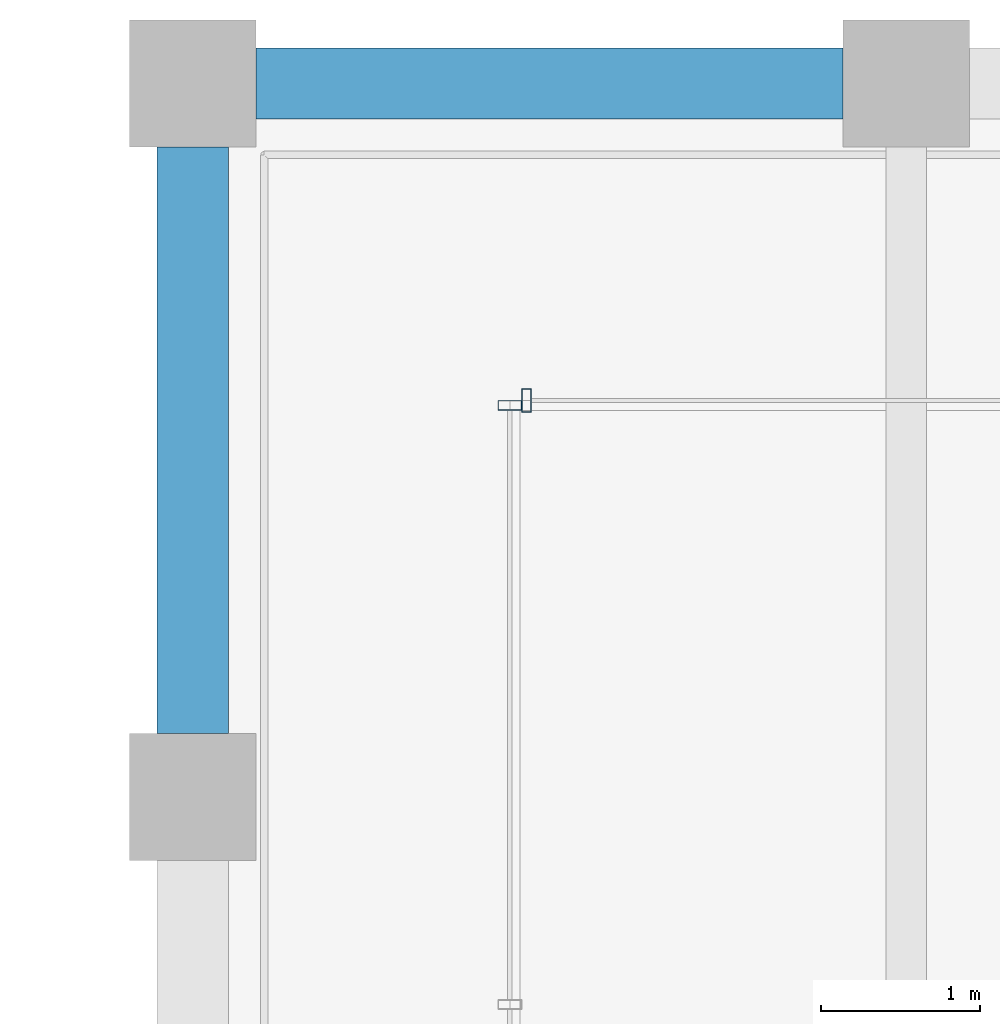
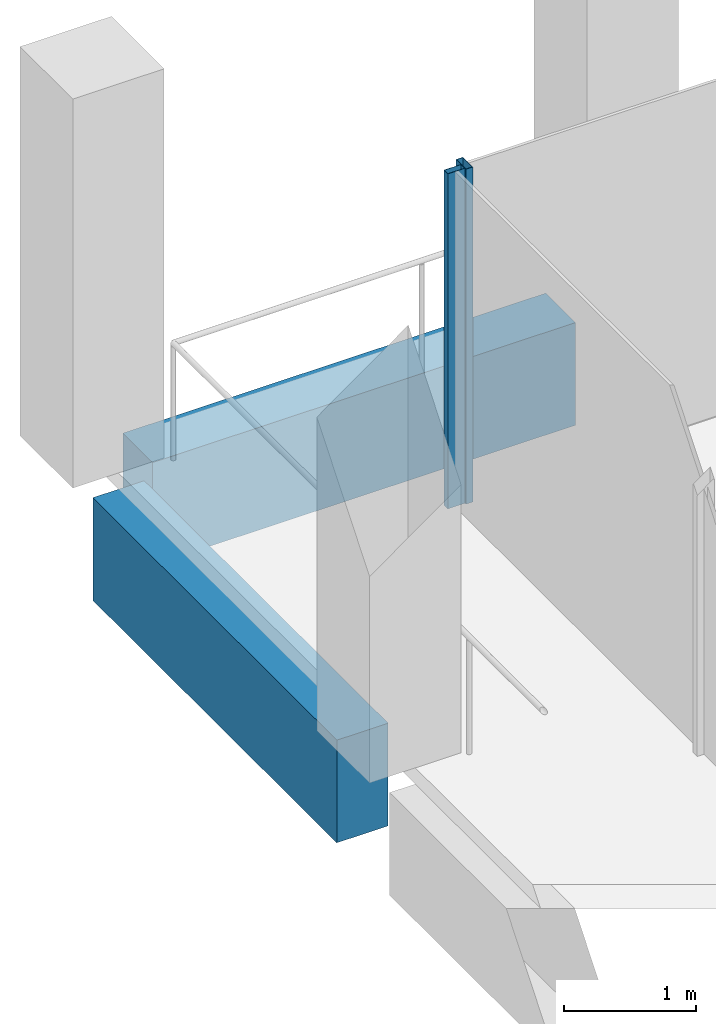
# One storey, part 21 of 30: 2 beams, 2 members, 2 elements without a shape of their own.
"""IFC4 building model written with IfcOpenShell, lengths in metres."""

from ifc_helpers import new_model, si_unit, direction, frame, origin, origin_2d, place, context, subcontext, project, spatial, rectangle, hollow_rectangle, extrude, material, material_profile, profile_set, type_object, element, aggregate, save


model = new_model("IFC4")

# Units and contexts
model_context = context("Model", 3, precision=1e-05, world=origin(), true_north=direction((0.0, 1.0)))
body_context = subcontext(model_context, "Body", "Model", "MODEL_VIEW")
ifc_project = project(units=[si_unit("LENGTHUNIT", "METRE"), si_unit("AREAUNIT", "SQUARE_METRE"), si_unit("VOLUMEUNIT", "CUBIC_METRE"), si_unit("PLANEANGLEUNIT", "RADIAN"), si_unit("MASSUNIT", "GRAM", prefix="KILO")], contexts=[model_context])

# Site, building, storey
site_placement = place(None, origin())
site = spatial("IfcSite", under=ifc_project, at=site_placement, CompositionType="ELEMENT")
building_placement = place(site_placement, origin())
building = spatial("IfcBuilding", under=site, at=building_placement, Name="Altepetl Exchange Towers", CompositionType="ELEMENT")
storey_placement = place(building_placement, frame((0.0, 0.0, 242.39990234375)))
storey = spatial("IfcBuildingStorey", under=building, at=storey_placement, Name="L62", CompositionType="ELEMENT", Elevation=242.39990234375)

# Curtain wall, member
ifc_material_1 = material(Name="Aluminium 6063-T6 glazing", Category="aluminium")
curtain_wall_type = type_object("IfcCurtainWallType", Name="Loggia glazing system", PredefinedType="NOTDEFINED", material=ifc_material_1)
curtain_wall_1_placement = place(storey_placement, origin())
curtain_wall_1 = element("IfcCurtainWall", 1, at=curtain_wall_1_placement, inside=storey, type_object=curtain_wall_type, Name="CW1 run", PredefinedType="NOTDEFINED")
ifc_material_2 = material(Name="Aluminium 6063-T6", Category="aluminium")
ifc_material_profile_1 = material_profile(ifc_material_2, hollow_rectangle(XDim=0.06005859375, YDim=0.14990234375, WallThickness=0.0029296875, at=origin_2d()), Name="Mullion 60x150 aluminium")
ifc_profile_set_1 = profile_set([ifc_material_profile_1], Name="Aluminium 6063-T6")
member_type = type_object("IfcMemberType", Name="Mullion 60x150 aluminium", PredefinedType="MULLION", material=ifc_profile_set_1)
member_1_placement = place(storey_placement, frame((42.60498046875, 70.0, 0.0), z_axis=(0.0, 0.0, 1.0), x_axis=(-1.0, 0.0, 0.0)))
member_1 = element("IfcMember", 2, at=member_1_placement, type_object=member_type, Name="MU1 mullion", PredefinedType="MULLION", context=body_context, shape_type="SweptSolid", body=[
    extrude(hollow_rectangle(XDim=0.06005859375, YDim=0.14990234375, WallThickness=0.0029296875, at=origin_2d()), origin(), (0.0, 0.0, 1.0), 3.10009765625),
])
aggregate(curtain_wall_1, [member_1])

curtain_wall_2_placement = place(storey_placement, origin())
curtain_wall_2 = element("IfcCurtainWall", 3, at=curtain_wall_2_placement, inside=storey, type_object=curtain_wall_type, Name="CW1 run", PredefinedType="NOTDEFINED")
member_2_placement = place(storey_placement, frame((42.5, 69.969970703125, 0.0), z_axis=(0.0, 0.0, 1.0), x_axis=(0.0, -1.0, 0.0)))
member_2 = element("IfcMember", 4, at=member_2_placement, type_object=member_type, Name="MU1 mullion", PredefinedType="MULLION", context=body_context, shape_type="SweptSolid", body=[
    extrude(hollow_rectangle(XDim=0.06005859375, YDim=0.14990234375, WallThickness=0.0029296875, at=origin_2d()), origin(), (0.0, 0.0, 1.0), 3.10009765625),
])
aggregate(curtain_wall_2, [member_2])

# Beams
ifc_material_3 = material(Name="Concrete C50/60 precast with cantera rosa facing", Category="concrete")
ifc_material_profile_2 = material_profile(ifc_material_3, rectangle(XDim=0.449951171875, YDim=0.949951171875, at=origin_2d()), Name="450 x 950")
ifc_profile_set_2 = profile_set([ifc_material_profile_2], Name="Concrete C50/60 precast with cantera rosa facing")
beam_type_1 = type_object("IfcBeamType", Name="Spandrel beam 450x950 cantera rosa", PredefinedType="SPANDREL", material=ifc_profile_set_2)
beam_1_placement = place(storey_placement, frame((44.60009765625, 72.0, -0.625), z_axis=(-1.0, 0.0, 0.0), x_axis=(0.0, -1.0, 0.0)))
element("IfcBeam", 5, at=beam_1_placement, inside=storey, type_object=beam_type_1, Name="sp:A:L62:029", PredefinedType="SPANDREL", context=body_context, shape_type="SweptSolid", body=[
    extrude(rectangle(XDim=0.449951171875, YDim=0.949951171875, at=origin_2d()), origin(), (0.0, 0.0, 1.0), 3.7001953125),
])
ifc_material_4 = material(Name="Concrete C50/60 precast with tezontle facing", Category="concrete")
ifc_material_profile_3 = material_profile(ifc_material_4, rectangle(XDim=0.449951171875, YDim=0.949951171875, at=origin_2d()), Name="450 x 950")
ifc_profile_set_3 = profile_set([ifc_material_profile_3], Name="Concrete C50/60 precast with tezontle facing")
beam_type_2 = type_object("IfcBeamType", Name="Spandrel beam 450x950 tezontle", PredefinedType="SPANDREL", material=ifc_profile_set_3)
beam_2_placement = place(storey_placement, frame((40.5, 71.60009765625, -0.625), z_axis=(0.0, -1.0, 0.0), x_axis=(1.0, 0.0, 0.0)))
element("IfcBeam", 6, at=beam_2_placement, inside=storey, type_object=beam_type_2, Name="sp:A:L62:030", PredefinedType="SPANDREL", context=body_context, shape_type="SweptSolid", body=[
    extrude(rectangle(XDim=0.449951171875, YDim=0.949951171875, at=origin_2d()), origin(), (0.0, 0.0, 1.0), 3.7001953125),
])

save(model, "model.ifc")
